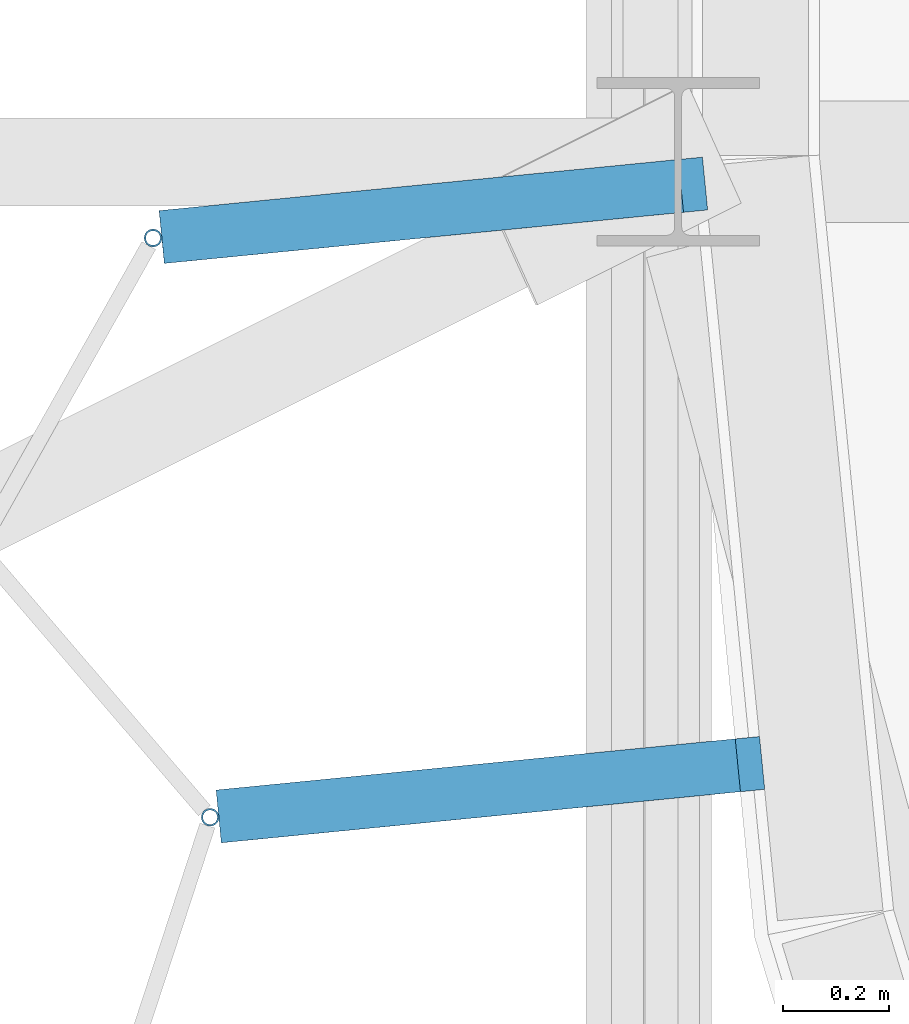
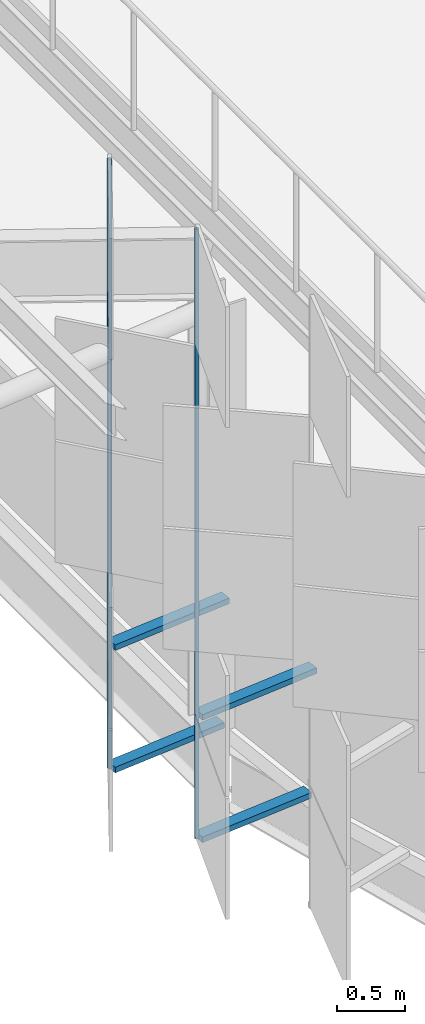
# One storey, part 169 of 483: 6 discrete accessories.
"""IFC4 building model written with IfcOpenShell, lengths in metres."""

from ifc_helpers import new_model, si_unit, direction, frame, origin, origin_2d, place, context, subcontext, project, spatial, rectangle, hollow_circle, extrude, material, material_profile, profile_set, type_object, element, save


model = new_model("IFC4")

# Units and contexts
model_context = context("Model", 3, precision=1e-05, world=origin(), true_north=direction((0.0, 1.0)))
body_context = subcontext(model_context, "Body", "Model", "MODEL_VIEW")
ifc_project = project(units=[si_unit("LENGTHUNIT", "METRE"), si_unit("AREAUNIT", "SQUARE_METRE"), si_unit("VOLUMEUNIT", "CUBIC_METRE"), si_unit("PLANEANGLEUNIT", "RADIAN"), si_unit("MASSUNIT", "GRAM", prefix="KILO")], contexts=[model_context])

# Site, building, storey
site_placement = place(None, origin())
site = spatial("IfcSite", under=ifc_project, at=site_placement, CompositionType="ELEMENT")
building_placement = place(site_placement, origin())
building = spatial("IfcBuilding", under=site, at=building_placement, Name="Parallax Yard Mobility Hub", CompositionType="ELEMENT")
storey_placement = place(building_placement, frame((0.0, 0.0, 13.199951171875)))
storey = spatial("IfcBuildingStorey", under=building, at=storey_placement, Name="L04", CompositionType="ELEMENT", Elevation=13.199951171875)

# Discrete accessories
ifc_material_1 = material(Name="Steel ASTM A36, hot-dip galvanised", Category="steel")
discrete_accessory_type_1 = type_object("IfcDiscreteAccessoryType", Name="Hinge bracket plate 100x50", PredefinedType="BRACKET", material=ifc_material_1)
discrete_accessory_1_placement = place(storey_placement, frame((194.515380859375, 29.906494140625, -0.02490234375), z_axis=(0.0, 0.0, 1.0), x_axis=(-0.995184726672, -0.09801714033, 0.0)))
element("IfcDiscreteAccessory", 1, at=discrete_accessory_1_placement, inside=storey, type_object=discrete_accessory_type_1, Name="Hinge bracket plate bay 30.1 level L04", PredefinedType="BRACKET", context=body_context, shape_type="SweptSolid", body=[
    extrude(rectangle(XDim=0.984130859375, YDim=0.10009765625, at=origin_2d()), origin(), (0.0, 0.0, 1.0), 0.050048828125),
])
discrete_accessory_2_placement = place(storey_placement, frame((194.5380859375, 29.90869140625, 1.06982421875), z_axis=(0.0, 0.0, 1.0), x_axis=(-0.995184726672, -0.09801714033, 0.0)))
element("IfcDiscreteAccessory", 2, at=discrete_accessory_2_placement, inside=storey, type_object=discrete_accessory_type_1, Name="Hinge bracket plate bay 30.1 level L04", PredefinedType="BRACKET", context=body_context, shape_type="SweptSolid", body=[
    extrude(rectangle(XDim=1.030029296875, YDim=0.10009765625, at=origin_2d()), origin(), (0.0, 0.0, 1.0), 0.050048828125),
])
discrete_accessory_3_placement = place(storey_placement, frame((194.622802734375, 28.8134765625, -0.02490234375), z_axis=(0.0, 0.0, 1.0), x_axis=(-0.995184726672, -0.09801714033, 0.0)))
element("IfcDiscreteAccessory", 3, at=discrete_accessory_3_placement, inside=storey, type_object=discrete_accessory_type_1, Name="Hinge bracket plate bay 30.2 level L04", PredefinedType="BRACKET", context=body_context, shape_type="SweptSolid", body=[
    extrude(rectangle(XDim=0.984130859375, YDim=0.10009765625, at=origin_2d()), origin(), (0.0, 0.0, 1.0), 0.050048828125),
])
discrete_accessory_4_placement = place(storey_placement, frame((194.645751953125, 28.815673828125, 1.06982421875), z_axis=(0.0, 0.0, 1.0), x_axis=(-0.995184726672, -0.09801714033, 0.0)))
element("IfcDiscreteAccessory", 4, at=discrete_accessory_4_placement, inside=storey, type_object=discrete_accessory_type_1, Name="Hinge bracket plate bay 30.2 level L04", PredefinedType="BRACKET", context=body_context, shape_type="SweptSolid", body=[
    extrude(rectangle(XDim=1.030029296875, YDim=0.10009765625, at=origin_2d()), origin(), (0.0, 0.0, 1.0), 0.050048828125),
])
ifc_material_2 = material(Name="Steel ASTM A500 Gr C, hot-dip galvanised", Category="steel")
ifc_material_profile = material_profile(ifc_material_2, hollow_circle(Radius=0.016845703125, WallThickness=0.003173828125, at=origin_2d()), Name="CHS 33.7x3.2")
ifc_profile_set = profile_set([ifc_material_profile], Name="Steel ASTM A500 Gr C, hot-dip galvanised")
discrete_accessory_type_2 = type_object("IfcDiscreteAccessoryType", Name="Hinge post CHS 33.7x3.2", PredefinedType="BRACKET", material=ifc_profile_set)
for number, where, z_axis, x_axis, name in (
    (5, (194.00927734375, 29.8564453125, 0.0), (0.0, 0.0, 1.0), (1.0, 0.0, 0.0), "Hinge post bay 30.1 level L04"),
    (6, (194.116943359375, 28.763671875, 0.0), (0.0, 0.0, 1.0), (1.0, 0.0, 0.0), "Hinge post bay 30.2 level L04"),
):
    element("IfcDiscreteAccessory", number, at=place(storey_placement, frame(where, z_axis=z_axis, x_axis=x_axis)), inside=storey, type_object=discrete_accessory_type_2, Name=name, PredefinedType="BRACKET", context=body_context, shape_type="SweptSolid", body=[
        extrude(hollow_circle(Radius=0.016845703125, WallThickness=0.003173828125, at=origin_2d()), origin(), (0.0, 0.0, 1.0), 5.449951171875),
    ])

save(model, "model.ifc")
